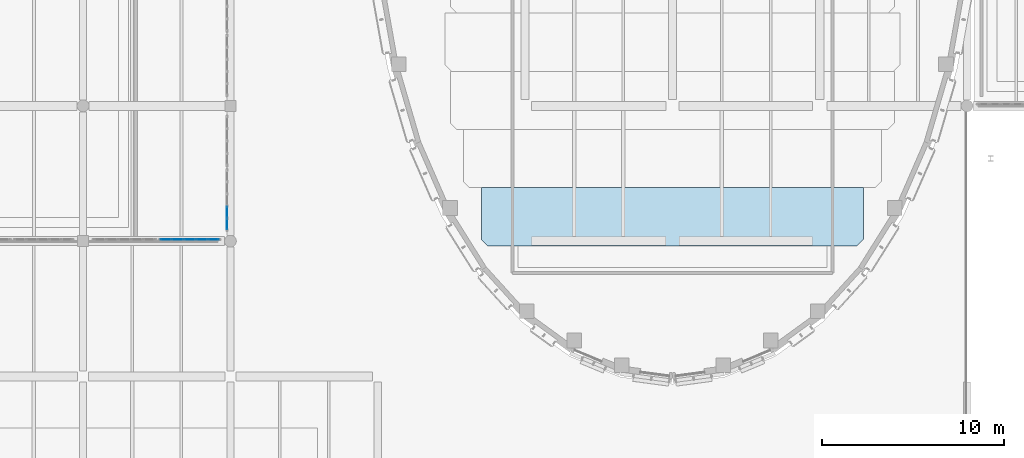
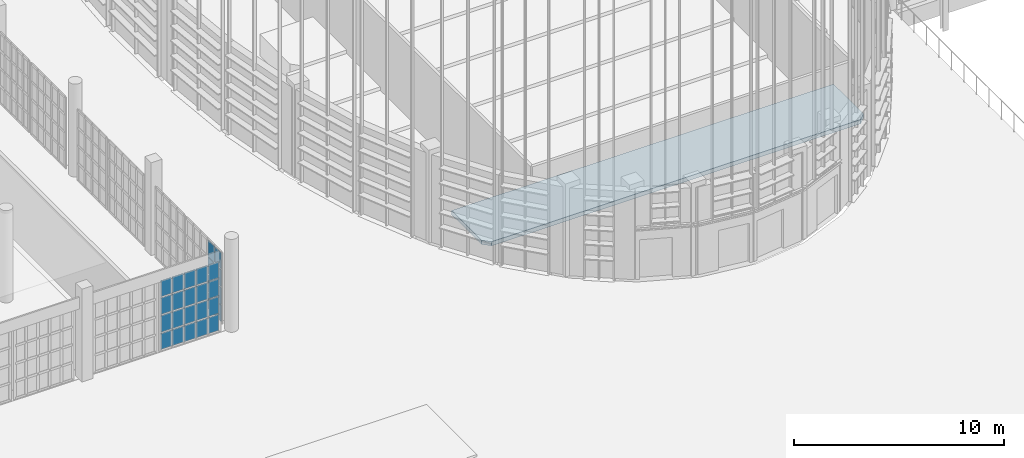
# One storey, part 321 of 372: 28 plates, 1 slab, 2 elements without a shape of their own.
"""IFC4 building model written with IfcOpenShell, lengths in metres."""

import ifcopenshell
import ifcopenshell.guid

model = None  # the IFC model being written
_history = None  # IfcOwnerHistory: only IFC2X3 demands one
_inside = {}  # id of a spatial element -> (the spatial element, [elements in it])
_under = {}  # id of a project, library or spatial element -> (it, [spatial elements below it])
_declared = {}  # id of a project -> (the project, [libraries it declares])
_typed = {}  # id of a type object -> (the type object, [elements of that type])
_made_of = {}  # id of a material, layer set ... -> (it, [elements and type objects made of it])


def new_model(schema):
    """Start an empty IFC model of exactly this schema.

    Asked for "IFC4X3", IfcOpenShell would pick the latest addendum, in which some entities
    have other attributes; the version numbers below select the first issue.
    IFC2X3 requires an IfcOwnerHistory on every rooted entity: one is made here for all.
    """
    global model, _history
    if schema == "IFC4X3":
        model = ifcopenshell.file(schema_version=(4, 3, 0, 0))
    else:
        model = ifcopenshell.file(schema=schema)
    _inside.clear()
    _under.clear()
    _declared.clear()
    _typed.clear()
    _made_of.clear()
    _history = None
    if model.schema == "IFC2X3":
        org = make("IfcOrganization", Name="unknown")
        user = make(
            "IfcPersonAndOrganization",
            ThePerson=make("IfcPerson", FamilyName="unknown"),
            TheOrganization=org,
        )
        app = make(
            "IfcApplication",
            ApplicationDeveloper=org,
            Version="unknown",
            ApplicationFullName="unknown",
            ApplicationIdentifier="unknown",
        )
        _history = make(
            "IfcOwnerHistory",
            OwningUser=user,
            OwningApplication=app,
            ChangeAction="ADDED",
            CreationDate=0,
        )
    return model


def make(cls, **values):
    """One entity of the class cls with the attributes given. An attribute that is None is left unset."""
    return model.create_entity(
        cls, **{name: value for name, value in values.items() if value is not None}
    )


def rooted(cls, **values):
    """An entity with a GlobalId (a new one), such as an element, a storey or a relation."""
    return make(cls, GlobalId=ifcopenshell.guid.new(), OwnerHistory=_history, **values)


def si_unit(unit_type, name, prefix=None):
    """IfcSIUnit, for example si_unit("LENGTHUNIT", "METRE", prefix="MILLI")."""
    return make("IfcSIUnit", UnitType=unit_type, Prefix=prefix, Name=name)


def assignment(units):
    """IfcUnitAssignment: the units of a project."""
    return None if units is None else make("IfcUnitAssignment", Units=units)


def point(xyz):
    """IfcCartesianPoint."""
    return None if xyz is None else make("IfcCartesianPoint", Coordinates=xyz)


def direction(xyz):
    """IfcDirection."""
    return None if xyz is None else make("IfcDirection", DirectionRatios=xyz)


def frame(location, z_axis=None, x_axis=None):
    """IfcAxis2Placement3D, a coordinate frame: its origin and axes. An axis left out is left unset."""
    return make(
        "IfcAxis2Placement3D",
        Location=point(location),
        Axis=direction(z_axis),
        RefDirection=direction(x_axis),
    )


def frame_2d(location, x_axis=None):
    """IfcAxis2Placement2D, a coordinate frame in the plane: its origin and x axis."""
    return make(
        "IfcAxis2Placement2D", Location=point(location), RefDirection=direction(x_axis)
    )


def origin():
    """The frame at (0, 0, 0) with its axes left unset."""
    return frame((0.0, 0.0, 0.0))


def origin_2d():
    """The frame at (0, 0) in the plane with its x axis left unset."""
    return frame_2d((0.0, 0.0))


def place(relative_to, where):
    """IfcLocalPlacement: puts the frame where relative to a parent placement (None: the world)."""
    return make(
        "IfcLocalPlacement", PlacementRelTo=relative_to, RelativePlacement=where
    )


def context(
    kind, dimensions, precision=None, world=None, true_north=None, identifier=None
):
    """IfcGeometricRepresentationContext, for example the 3D "Model" context."""
    return make(
        "IfcGeometricRepresentationContext",
        ContextIdentifier=identifier,
        ContextType=kind,
        CoordinateSpaceDimension=dimensions,
        Precision=precision,
        WorldCoordinateSystem=world,
        TrueNorth=true_north,
    )


def subcontext(parent, identifier, kind, view, scale=None):
    """IfcGeometricRepresentationSubContext, for example "Body" below "Model"."""
    return make(
        "IfcGeometricRepresentationSubContext",
        ContextIdentifier=identifier,
        ContextType=kind,
        ParentContext=parent,
        TargetScale=scale,
        TargetView=view,
    )


def project(units=None, contexts=None):
    """IfcProject with its units and contexts."""
    return rooted(
        "IfcProject",
        Name="project",
        RepresentationContexts=contexts,
        UnitsInContext=assignment(units),
    )


def spatial(cls, under=None, at=None, **own):
    """A site, building, storey or space (cls), placed at a placement, below another one or the project."""
    s = rooted(cls, ObjectPlacement=at, **own)
    if under is not None:
        _under.setdefault(under.id(), (under, []))[1].append(s)
    return s


def polyline(points):
    """IfcPolyline through the points."""
    return make("IfcPolyline", Points=[point(p) for p in points])


def profile(cls, at=None, kind="AREA", **sizes):
    """A parametric profile (cls). Its sizes go by their IFC names, for example OverallWidth=200.0."""
    return make(cls, ProfileType=kind, Position=at, **sizes)


def rectangle(**sizes):
    """IfcRectangleProfileDef."""
    return profile("IfcRectangleProfileDef", **sizes)


def outline(outer, holes=None, kind="AREA"):
    """IfcArbitraryClosedProfileDef: a profile drawn as a closed curve; with holes, ...WithVoids."""
    if holes is None:
        return make("IfcArbitraryClosedProfileDef", ProfileType=kind, OuterCurve=outer)
    return make(
        "IfcArbitraryProfileDefWithVoids",
        ProfileType=kind,
        OuterCurve=outer,
        InnerCurves=holes,
    )


def extrude(swept, where, along, depth):
    """IfcExtrudedAreaSolid: the profile swept, set in the frame where, extruded along a direction by depth."""
    return make(
        "IfcExtrudedAreaSolid",
        SweptArea=swept,
        Position=where,
        ExtrudedDirection=direction(along),
        Depth=depth,
    )


def shape(context_of_items, identifier, shape_type, items):
    """IfcShapeRepresentation: the items that make up one representation, for example the "Body"."""
    return make(
        "IfcShapeRepresentation",
        ContextOfItems=context_of_items,
        RepresentationIdentifier=identifier,
        RepresentationType=shape_type,
        Items=items,
    )


def material(Name=None, Category=None):
    """IfcMaterial."""
    return make("IfcMaterial", Name=Name, Category=Category)


def layer(
    of_material, thickness, ventilated=None, Name=None, Category=None, Priority=None
):
    """IfcMaterialLayer: one layer of a wall or slab, of a material (None: an air gap)."""
    return make(
        "IfcMaterialLayer",
        Material=of_material,
        LayerThickness=thickness,
        IsVentilated=ventilated,
        Name=Name,
        Category=Category,
        Priority=Priority,
    )


def layer_set(layers, Name=None):
    """IfcMaterialLayerSet."""
    return make("IfcMaterialLayerSet", MaterialLayers=layers, LayerSetName=Name)


def made_of(thing, what):
    """Note that an element or type object is made of a material, layer set ...; save() writes the relation."""
    if what is not None:
        _made_of.setdefault(what.id(), (what, []))[1].append(thing)
    return thing


def type_object(cls, material=None, **own):
    """A type object (cls), such as IfcWallType, which elements share."""
    return made_of(rooted(cls, **own), material)


def element(
    cls,
    number,
    at=None,
    inside=None,
    cuts=None,
    type_object=None,
    material=None,
    context=None,
    identifier="Body",
    shape_type=None,
    held_by="IfcProductDefinitionShape",
    body=None,
    shapes=None,
    **own,
):
    """One element of the class cls, such as IfcWall. Its Tag is "e" and its number.

    at: its placement. inside: the storey or other place that contains it. cuts: it is an
    opening in that element (IfcRelVoidsElement). A single representation is given by context,
    identifier, shape_type and body (its items); several are given by shapes. held_by: the class
    of the entity that holds the representations. save() writes the other relations.
    """
    e = rooted(cls, Tag="e%d" % number, ObjectPlacement=at, **own)
    if body is not None:
        shapes = [shape(context, identifier, shape_type, body)]
    if shapes is not None:
        e.Representation = make(held_by, Representations=shapes)
    if inside is not None:
        _inside.setdefault(inside.id(), (inside, []))[1].append(e)
    if cuts is not None:
        rooted(
            "IfcRelVoidsElement", RelatingBuildingElement=cuts, RelatedOpeningElement=e
        )
    if type_object is not None:
        _typed.setdefault(type_object.id(), (type_object, []))[1].append(e)
    return made_of(e, material)


def aggregate(whole, parts):
    """IfcRelAggregates: a whole, such as a stair, and the parts it consists of."""
    return rooted("IfcRelAggregates", RelatingObject=whole, RelatedObjects=parts)


def save(model, path):
    """Write the relations noted so far, then the file.

    IfcRelAggregates (storeys below a building ...), IfcRelContainedInSpatialStructure (elements
    in a storey), IfcRelDefinesByType, IfcRelAssociatesMaterial and IfcRelDeclares: one each for
    every whole, place, type object, material and project.
    """
    for whole, parts in _under.values():
        aggregate(whole, parts)
    for where, things in _inside.values():
        rooted(
            "IfcRelContainedInSpatialStructure",
            RelatedElements=things,
            RelatingStructure=where,
        )
    for kind, things in _typed.values():
        rooted("IfcRelDefinesByType", RelatedObjects=things, RelatingType=kind)
    for what, things in _made_of.values():
        rooted("IfcRelAssociatesMaterial", RelatedObjects=things, RelatingMaterial=what)
    for by, libraries in _declared.values():
        rooted("IfcRelDeclares", RelatingContext=by, RelatedDefinitions=libraries)
    model.write(path)


model = new_model("IFC4")

# Units and contexts
model_context = context("Model", 3, precision=1e-05, world=origin(), true_north=direction((0.0, 1.0)))
body_context = subcontext(model_context, "Body", "Model", "MODEL_VIEW")
ifc_project = project(units=[si_unit("LENGTHUNIT", "METRE"), si_unit("AREAUNIT", "SQUARE_METRE"), si_unit("VOLUMEUNIT", "CUBIC_METRE"), si_unit("PLANEANGLEUNIT", "RADIAN"), si_unit("MASSUNIT", "GRAM", prefix="KILO")], contexts=[model_context])

# Site, building, storey
site_placement = place(None, origin())
site = spatial("IfcSite", under=ifc_project, at=site_placement, CompositionType="ELEMENT")
building_placement = place(site_placement, origin())
building = spatial("IfcBuilding", under=site, at=building_placement, Name="Kaelora Sail Theatre", CompositionType="ELEMENT")
storey_placement = place(building_placement, origin())
storey = spatial("IfcBuildingStorey", under=building, at=storey_placement, Name="L00", CompositionType="ELEMENT", Elevation=0.0)

# Curtain wall, plates
ifc_material_1 = material(Name="Anodised aluminium and solar-control low-E IGU", Category="aluminium")
curtain_wall_type_1 = type_object("IfcCurtainWallType", Name="ARC-CW-CW-NWG", PredefinedType="NOTDEFINED", material=ifc_material_1)
curtain_wall_1_placement = place(storey_placement, origin())
curtain_wall_1 = element("IfcCurtainWall", 1, at=curtain_wall_1_placement, inside=storey, type_object=curtain_wall_type_1, Name="Glazed Foyer/Conservatory Curtain Wall COLW-S-L00-04", PredefinedType="NOTDEFINED")
ifc_material_2 = material(Name="Solar-control laminated low-E glass", Category="glass")
ifc_layer_1 = layer(ifc_material_2, 0.031982421875)
ifc_layer_set_1 = layer_set([ifc_layer_1], Name="Solar-control laminated low-E glass")
plate_type = type_object("IfcPlateType", Name="ARC-CW-PNL", PredefinedType="CURTAIN_PANEL", material=ifc_layer_set_1)
plate_1_placement = place(storey_placement, frame((14.146484375, 31.35009765625, 0.070068359375), z_axis=(0.0, 0.0, 1.0), x_axis=(1.0, 0.0, 0.0)))
plate_1 = element("IfcPlate", 2, at=plate_1_placement, type_object=plate_type, Name="CW-NWG panel 1.1", PredefinedType="CURTAIN_PANEL", context=body_context, shape_type="SweptSolid", body=[
    extrude(rectangle(XDim=0.572998046875, YDim=0.031982421875, at=origin_2d()), origin(), (0.0, 0.0, 1.0), 0.92919921875),
])
plate_2_placement = place(storey_placement, frame((14.146484375, 31.35009765625, 1.069091796875), z_axis=(0.0, 0.0, 1.0), x_axis=(1.0, 0.0, 0.0)))
plate_2 = element("IfcPlate", 3, at=plate_2_placement, type_object=plate_type, Name="CW-NWG panel 1.2", PredefinedType="CURTAIN_PANEL", context=body_context, shape_type="SweptSolid", body=[
    extrude(rectangle(XDim=0.572998046875, YDim=0.031982421875, at=origin_2d()), origin(), (0.0, 0.0, 1.0), 0.96435546875),
])
plate_3_placement = place(storey_placement, frame((14.146484375, 31.35009765625, 2.103515625), z_axis=(0.0, 0.0, 1.0), x_axis=(1.0, 0.0, 0.0)))
plate_3 = element("IfcPlate", 4, at=plate_3_placement, type_object=plate_type, Name="CW-NWG panel 1.3", PredefinedType="CURTAIN_PANEL", context=body_context, shape_type="SweptSolid", body=[
    extrude(rectangle(XDim=0.572998046875, YDim=0.031982421875, at=origin_2d()), origin(), (0.0, 0.0, 1.0), 0.964111328125),
])
plate_4_placement = place(storey_placement, frame((14.146484375, 31.35009765625, 3.1376953125), z_axis=(0.0, 0.0, 1.0), x_axis=(1.0, 0.0, 0.0)))
plate_4 = element("IfcPlate", 5, at=plate_4_placement, type_object=plate_type, Name="CW-NWG panel 1.4", PredefinedType="CURTAIN_PANEL", context=body_context, shape_type="SweptSolid", body=[
    extrude(rectangle(XDim=0.572998046875, YDim=0.031982421875, at=origin_2d()), origin(), (0.0, 0.0, 1.0), 0.92919921875),
])
plate_5_placement = place(storey_placement, frame((14.79443359375, 31.35009765625, 0.070068359375), z_axis=(0.0, 0.0, 1.0), x_axis=(1.0, 0.0, 0.0)))
plate_5 = element("IfcPlate", 6, at=plate_5_placement, type_object=plate_type, Name="CW-NWG panel 2.1", PredefinedType="CURTAIN_PANEL", context=body_context, shape_type="SweptSolid", body=[
    extrude(rectangle(XDim=0.60302734375, YDim=0.031982421875, at=origin_2d()), origin(), (0.0, 0.0, 1.0), 0.92919921875),
])
plate_6_placement = place(storey_placement, frame((14.79443359375, 31.35009765625, 1.069091796875), z_axis=(0.0, 0.0, 1.0), x_axis=(1.0, 0.0, 0.0)))
plate_6 = element("IfcPlate", 7, at=plate_6_placement, type_object=plate_type, Name="CW-NWG panel 2.2", PredefinedType="CURTAIN_PANEL", context=body_context, shape_type="SweptSolid", body=[
    extrude(rectangle(XDim=0.60302734375, YDim=0.031982421875, at=origin_2d()), origin(), (0.0, 0.0, 1.0), 0.96435546875),
])
plate_7_placement = place(storey_placement, frame((14.79443359375, 31.35009765625, 2.103515625), z_axis=(0.0, 0.0, 1.0), x_axis=(1.0, 0.0, 0.0)))
plate_7 = element("IfcPlate", 8, at=plate_7_placement, type_object=plate_type, Name="CW-NWG panel 2.3", PredefinedType="CURTAIN_PANEL", context=body_context, shape_type="SweptSolid", body=[
    extrude(rectangle(XDim=0.60302734375, YDim=0.031982421875, at=origin_2d()), origin(), (0.0, 0.0, 1.0), 0.964111328125),
])
plate_8_placement = place(storey_placement, frame((14.79443359375, 31.35009765625, 3.1376953125), z_axis=(0.0, 0.0, 1.0), x_axis=(1.0, 0.0, 0.0)))
plate_8 = element("IfcPlate", 9, at=plate_8_placement, type_object=plate_type, Name="CW-NWG panel 2.4", PredefinedType="CURTAIN_PANEL", context=body_context, shape_type="SweptSolid", body=[
    extrude(rectangle(XDim=0.60302734375, YDim=0.031982421875, at=origin_2d()), origin(), (0.0, 0.0, 1.0), 0.92919921875),
])
plate_9_placement = place(storey_placement, frame((15.45751953125, 31.35009765625, 0.070068359375), z_axis=(0.0, 0.0, 1.0), x_axis=(1.0, 0.0, 0.0)))
plate_9 = element("IfcPlate", 10, at=plate_9_placement, type_object=plate_type, Name="CW-NWG panel 3.1", PredefinedType="CURTAIN_PANEL", context=body_context, shape_type="SweptSolid", body=[
    extrude(rectangle(XDim=0.60302734375, YDim=0.031982421875, at=origin_2d()), origin(), (0.0, 0.0, 1.0), 0.92919921875),
])
plate_10_placement = place(storey_placement, frame((15.45751953125, 31.35009765625, 1.069091796875), z_axis=(0.0, 0.0, 1.0), x_axis=(1.0, 0.0, 0.0)))
plate_10 = element("IfcPlate", 11, at=plate_10_placement, type_object=plate_type, Name="CW-NWG panel 3.2", PredefinedType="CURTAIN_PANEL", context=body_context, shape_type="SweptSolid", body=[
    extrude(rectangle(XDim=0.60302734375, YDim=0.031982421875, at=origin_2d()), origin(), (0.0, 0.0, 1.0), 0.96435546875),
])
plate_11_placement = place(storey_placement, frame((15.45751953125, 31.35009765625, 2.103515625), z_axis=(0.0, 0.0, 1.0), x_axis=(1.0, 0.0, 0.0)))
plate_11 = element("IfcPlate", 12, at=plate_11_placement, type_object=plate_type, Name="CW-NWG panel 3.3", PredefinedType="CURTAIN_PANEL", context=body_context, shape_type="SweptSolid", body=[
    extrude(rectangle(XDim=0.60302734375, YDim=0.031982421875, at=origin_2d()), origin(), (0.0, 0.0, 1.0), 0.964111328125),
])
plate_12_placement = place(storey_placement, frame((15.45751953125, 31.35009765625, 3.1376953125), z_axis=(0.0, 0.0, 1.0), x_axis=(1.0, 0.0, 0.0)))
plate_12 = element("IfcPlate", 13, at=plate_12_placement, type_object=plate_type, Name="CW-NWG panel 3.4", PredefinedType="CURTAIN_PANEL", context=body_context, shape_type="SweptSolid", body=[
    extrude(rectangle(XDim=0.60302734375, YDim=0.031982421875, at=origin_2d()), origin(), (0.0, 0.0, 1.0), 0.92919921875),
])
plate_13_placement = place(storey_placement, frame((16.12060546875, 31.35009765625, 0.070068359375), z_axis=(0.0, 0.0, 1.0), x_axis=(1.0, 0.0, 0.0)))
plate_13 = element("IfcPlate", 14, at=plate_13_placement, type_object=plate_type, Name="CW-NWG panel 4.1", PredefinedType="CURTAIN_PANEL", context=body_context, shape_type="SweptSolid", body=[
    extrude(rectangle(XDim=0.60302734375, YDim=0.031982421875, at=origin_2d()), origin(), (0.0, 0.0, 1.0), 0.92919921875),
])
plate_14_placement = place(storey_placement, frame((16.12060546875, 31.35009765625, 1.069091796875), z_axis=(0.0, 0.0, 1.0), x_axis=(1.0, 0.0, 0.0)))
plate_14 = element("IfcPlate", 15, at=plate_14_placement, type_object=plate_type, Name="CW-NWG panel 4.2", PredefinedType="CURTAIN_PANEL", context=body_context, shape_type="SweptSolid", body=[
    extrude(rectangle(XDim=0.60302734375, YDim=0.031982421875, at=origin_2d()), origin(), (0.0, 0.0, 1.0), 0.96435546875),
])
plate_15_placement = place(storey_placement, frame((16.12060546875, 31.35009765625, 2.103515625), z_axis=(0.0, 0.0, 1.0), x_axis=(1.0, 0.0, 0.0)))
plate_15 = element("IfcPlate", 16, at=plate_15_placement, type_object=plate_type, Name="CW-NWG panel 4.3", PredefinedType="CURTAIN_PANEL", context=body_context, shape_type="SweptSolid", body=[
    extrude(rectangle(XDim=0.60302734375, YDim=0.031982421875, at=origin_2d()), origin(), (0.0, 0.0, 1.0), 0.964111328125),
])
plate_16_placement = place(storey_placement, frame((16.12060546875, 31.35009765625, 3.1376953125), z_axis=(0.0, 0.0, 1.0), x_axis=(1.0, 0.0, 0.0)))
plate_16 = element("IfcPlate", 17, at=plate_16_placement, type_object=plate_type, Name="CW-NWG panel 4.4", PredefinedType="CURTAIN_PANEL", context=body_context, shape_type="SweptSolid", body=[
    extrude(rectangle(XDim=0.60302734375, YDim=0.031982421875, at=origin_2d()), origin(), (0.0, 0.0, 1.0), 0.92919921875),
])
plate_17_placement = place(storey_placement, frame((16.7685546875, 31.35009765625, 0.070068359375), z_axis=(0.0, 0.0, 1.0), x_axis=(1.0, 0.0, 0.0)))
plate_17 = element("IfcPlate", 18, at=plate_17_placement, type_object=plate_type, Name="CW-NWG panel 5.1", PredefinedType="CURTAIN_PANEL", context=body_context, shape_type="SweptSolid", body=[
    extrude(rectangle(XDim=0.572998046875, YDim=0.031982421875, at=origin_2d()), origin(), (0.0, 0.0, 1.0), 0.92919921875),
])
plate_18_placement = place(storey_placement, frame((16.7685546875, 31.35009765625, 1.069091796875), z_axis=(0.0, 0.0, 1.0), x_axis=(1.0, 0.0, 0.0)))
plate_18 = element("IfcPlate", 19, at=plate_18_placement, type_object=plate_type, Name="CW-NWG panel 5.2", PredefinedType="CURTAIN_PANEL", context=body_context, shape_type="SweptSolid", body=[
    extrude(rectangle(XDim=0.572998046875, YDim=0.031982421875, at=origin_2d()), origin(), (0.0, 0.0, 1.0), 0.96435546875),
])
plate_19_placement = place(storey_placement, frame((16.7685546875, 31.35009765625, 2.103515625), z_axis=(0.0, 0.0, 1.0), x_axis=(1.0, 0.0, 0.0)))
plate_19 = element("IfcPlate", 20, at=plate_19_placement, type_object=plate_type, Name="CW-NWG panel 5.3", PredefinedType="CURTAIN_PANEL", context=body_context, shape_type="SweptSolid", body=[
    extrude(rectangle(XDim=0.572998046875, YDim=0.031982421875, at=origin_2d()), origin(), (0.0, 0.0, 1.0), 0.964111328125),
])
plate_20_placement = place(storey_placement, frame((16.7685546875, 31.35009765625, 3.1376953125), z_axis=(0.0, 0.0, 1.0), x_axis=(1.0, 0.0, 0.0)))
plate_20 = element("IfcPlate", 21, at=plate_20_placement, type_object=plate_type, Name="CW-NWG panel 5.4", PredefinedType="CURTAIN_PANEL", context=body_context, shape_type="SweptSolid", body=[
    extrude(rectangle(XDim=0.572998046875, YDim=0.031982421875, at=origin_2d()), origin(), (0.0, 0.0, 1.0), 0.92919921875),
])
aggregate(curtain_wall_1, [plate_1, plate_2, plate_3, plate_4, plate_5, plate_6, plate_7, plate_8, plate_9, plate_10, plate_11, plate_12, plate_13, plate_14, plate_15, plate_16, plate_17, plate_18, plate_19, plate_20])

ifc_material_3 = material(Name="Anodised aluminium and solar-control low-E IGU", Category="aluminium")
curtain_wall_type_2 = type_object("IfcCurtainWallType", Name="ARC-CW-CW-FOY2", PredefinedType="NOTDEFINED", material=ifc_material_3)
curtain_wall_2_placement = place(storey_placement, origin())
curtain_wall_2 = element("IfcCurtainWall", 22, at=curtain_wall_2_placement, inside=storey, type_object=curtain_wall_type_2, Name="Glazed Colonnade/Courtyard Curtain Wall COLW-E-L00-01", PredefinedType="NOTDEFINED")
plate_21_placement = place(storey_placement, frame((17.510009765625, 32.195556640625, 0.070068359375), z_axis=(0.0, 0.0, 1.0), x_axis=(0.0, 1.0, 0.0)))
plate_21 = element("IfcPlate", 23, at=plate_21_placement, type_object=plate_type, Name="CW-FOY2 panel 1.1", PredefinedType="CURTAIN_PANEL", context=body_context, shape_type="SweptSolid", body=[
    extrude(rectangle(XDim=0.5810546875, YDim=0.031982421875, at=origin_2d()), origin(), (0.0, 0.0, 1.0), 0.92919921875),
])
plate_22_placement = place(storey_placement, frame((17.510009765625, 32.195556640625, 1.069091796875), z_axis=(0.0, 0.0, 1.0), x_axis=(0.0, 1.0, 0.0)))
plate_22 = element("IfcPlate", 24, at=plate_22_placement, type_object=plate_type, Name="CW-FOY2 panel 1.2", PredefinedType="CURTAIN_PANEL", context=body_context, shape_type="SweptSolid", body=[
    extrude(rectangle(XDim=0.5810546875, YDim=0.031982421875, at=origin_2d()), origin(), (0.0, 0.0, 1.0), 0.96435546875),
])
plate_23_placement = place(storey_placement, frame((17.510009765625, 32.195556640625, 2.103515625), z_axis=(0.0, 0.0, 1.0), x_axis=(0.0, 1.0, 0.0)))
plate_23 = element("IfcPlate", 25, at=plate_23_placement, type_object=plate_type, Name="CW-FOY2 panel 1.3", PredefinedType="CURTAIN_PANEL", context=body_context, shape_type="SweptSolid", body=[
    extrude(rectangle(XDim=0.5810546875, YDim=0.031982421875, at=origin_2d()), origin(), (0.0, 0.0, 1.0), 0.964111328125),
])
plate_24_placement = place(storey_placement, frame((17.510009765625, 32.195556640625, 3.1376953125), z_axis=(0.0, 0.0, 1.0), x_axis=(0.0, 1.0, 0.0)))
plate_24 = element("IfcPlate", 26, at=plate_24_placement, type_object=plate_type, Name="CW-FOY2 panel 1.4", PredefinedType="CURTAIN_PANEL", context=body_context, shape_type="SweptSolid", body=[
    extrude(rectangle(XDim=0.5810546875, YDim=0.031982421875, at=origin_2d()), origin(), (0.0, 0.0, 1.0), 0.92919921875),
])
plate_25_placement = place(storey_placement, frame((17.510009765625, 32.8515625, 0.070068359375), z_axis=(0.0, 0.0, 1.0), x_axis=(0.0, 1.0, 0.0)))
plate_25 = element("IfcPlate", 27, at=plate_25_placement, type_object=plate_type, Name="CW-FOY2 panel 2.1", PredefinedType="CURTAIN_PANEL", context=body_context, shape_type="SweptSolid", body=[
    extrude(rectangle(XDim=0.611083984375, YDim=0.031982421875, at=origin_2d()), origin(), (0.0, 0.0, 1.0), 0.92919921875),
])
plate_26_placement = place(storey_placement, frame((17.510009765625, 32.8515625, 1.069091796875), z_axis=(0.0, 0.0, 1.0), x_axis=(0.0, 1.0, 0.0)))
plate_26 = element("IfcPlate", 28, at=plate_26_placement, type_object=plate_type, Name="CW-FOY2 panel 2.2", PredefinedType="CURTAIN_PANEL", context=body_context, shape_type="SweptSolid", body=[
    extrude(rectangle(XDim=0.611083984375, YDim=0.031982421875, at=origin_2d()), origin(), (0.0, 0.0, 1.0), 0.96435546875),
])
plate_27_placement = place(storey_placement, frame((17.510009765625, 32.8515625, 2.103515625), z_axis=(0.0, 0.0, 1.0), x_axis=(0.0, 1.0, 0.0)))
plate_27 = element("IfcPlate", 29, at=plate_27_placement, type_object=plate_type, Name="CW-FOY2 panel 2.3", PredefinedType="CURTAIN_PANEL", context=body_context, shape_type="SweptSolid", body=[
    extrude(rectangle(XDim=0.611083984375, YDim=0.031982421875, at=origin_2d()), origin(), (0.0, 0.0, 1.0), 0.964111328125),
])
plate_28_placement = place(storey_placement, frame((17.510009765625, 32.8515625, 3.1376953125), z_axis=(0.0, 0.0, 1.0), x_axis=(0.0, 1.0, 0.0)))
plate_28 = element("IfcPlate", 30, at=plate_28_placement, type_object=plate_type, Name="CW-FOY2 panel 2.4", PredefinedType="CURTAIN_PANEL", context=body_context, shape_type="SweptSolid", body=[
    extrude(rectangle(XDim=0.611083984375, YDim=0.031982421875, at=origin_2d()), origin(), (0.0, 0.0, 1.0), 0.92919921875),
])
aggregate(curtain_wall_2, [plate_21, plate_22, plate_23, plate_24, plate_25, plate_26, plate_27, plate_28])

# Slab
ifc_material_4 = material(Name="Precast concrete C45/55", Category="concrete")
ifc_layer_2 = layer(ifc_material_4, 0.18994140625)
ifc_layer_set_2 = layer_set([ifc_layer_2], Name="Precast concrete C45/55")
slab_type = type_object("IfcSlabType", Name="STR-SLB-SL-ST190", PredefinedType="USERDEFINED", material=ifc_layer_set_2)
slab_placement = place(storey_placement, origin())
element("IfcSlab", 31, at=slab_placement, inside=storey, type_object=slab_type, Name="Auditorium seating tier ST-M01", ObjectType="SEATING TIER", PredefinedType="USERDEFINED", context=body_context, shape_type="SweptSolid", body=[
    extrude(outline(polyline([(31.85009765625, 31.0), (52.14990234375, 31.0), (52.5, 31.35009765625), (52.5, 34.199951171875), (31.5, 34.199951171875), (31.5, 31.35009765625), (31.85009765625, 31.0)])), origin(), (0.0, 0.0, 1.0), 0.239990234375),
])

save(model, "model.ifc")
